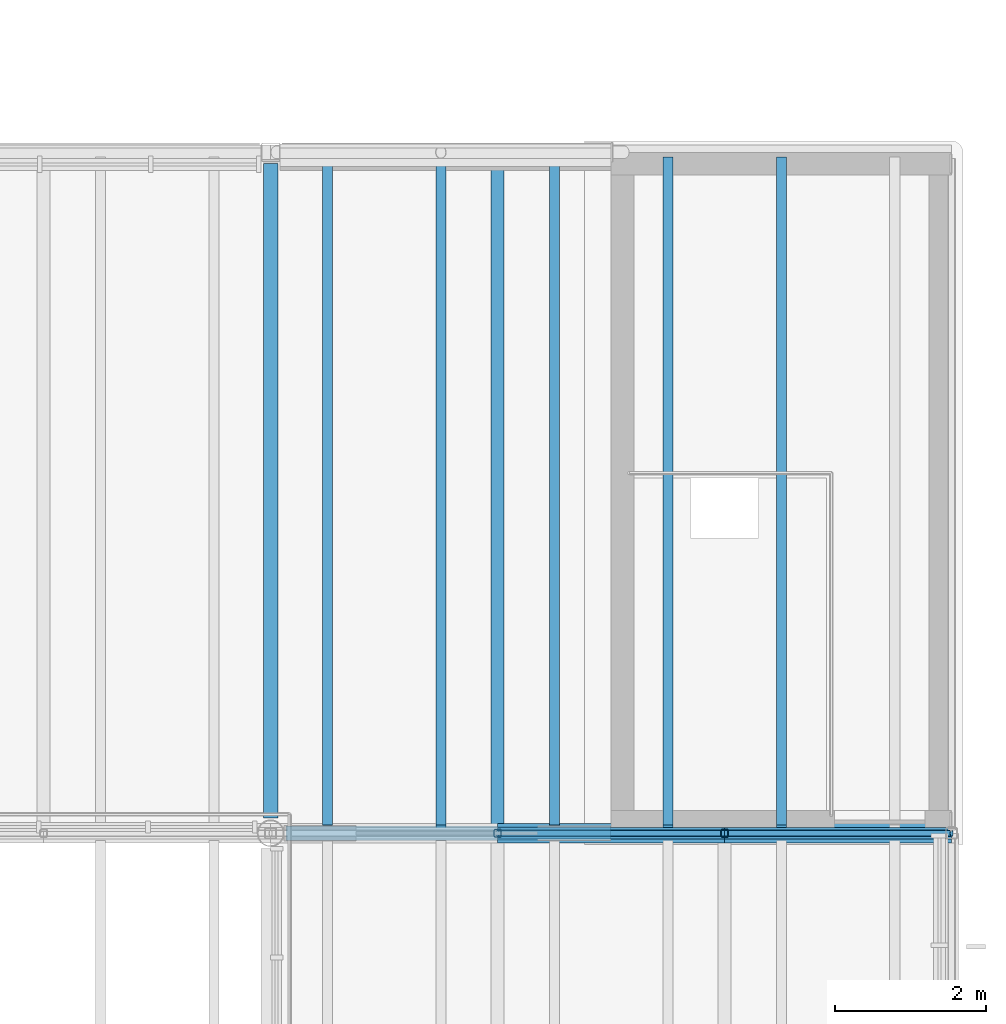
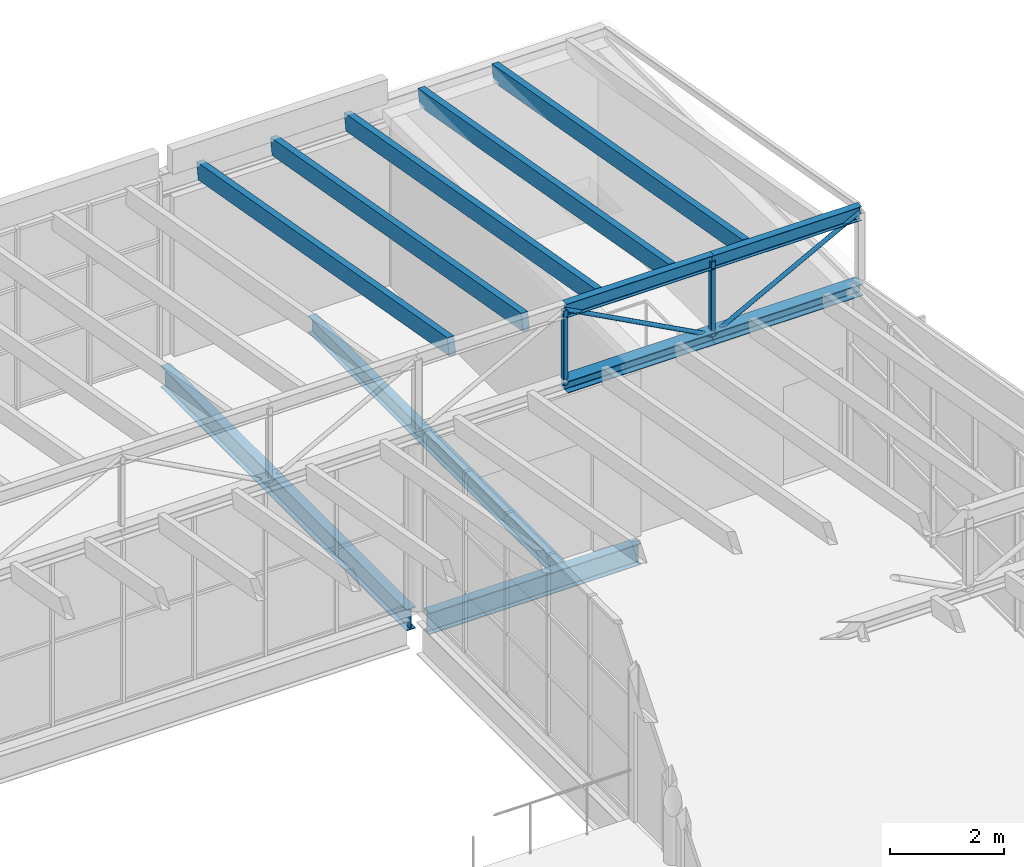
# One storey, part 25 of 44: 13 members, 3 beams.
"""IFC4 building model written with IfcOpenShell, lengths in metres."""

from ifc_helpers import new_model, si_unit, direction, frame, origin, origin_2d, place, context, subcontext, project, spatial, rectangle, hollow_rectangle, hollow_circle, i_section, extrude, material, material_profile, profile_set, type_object, element, save


model = new_model("IFC4")

# Units and contexts
model_context = context("Model", 3, precision=1e-05, world=origin(), true_north=direction((0.0, 1.0)))
body_context = subcontext(model_context, "Body", "Model", "MODEL_VIEW")
ifc_project = project(units=[si_unit("LENGTHUNIT", "METRE"), si_unit("AREAUNIT", "SQUARE_METRE"), si_unit("VOLUMEUNIT", "CUBIC_METRE"), si_unit("PLANEANGLEUNIT", "RADIAN"), si_unit("MASSUNIT", "GRAM", prefix="KILO")], contexts=[model_context])

# Site, building, storey
site_placement = place(None, origin())
site = spatial("IfcSite", under=ifc_project, at=site_placement, CompositionType="ELEMENT")
building_placement = place(site_placement, origin())
building = spatial("IfcBuilding", under=site, at=building_placement, Name="Halyard Row Museum", CompositionType="ELEMENT")
storey_placement = place(building_placement, frame((0.0, 0.0, 21.199951171875)))
storey = spatial("IfcBuildingStorey", under=building, at=storey_placement, Name="L04", CompositionType="ELEMENT", Elevation=21.199951171875)

# Beams
ifc_material_1 = material(Name="Steel Grade 300", Category="steel")
ifc_material_profile_1 = material_profile(ifc_material_1, i_section(OverallWidth=0.19091796875, OverallDepth=0.46044921875, WebThickness=0.010009765625, FlangeThickness=0.01611328125, FilletRadius=0.011474609375, at=origin_2d()), Name="460UB82.1")
ifc_profile_set_1 = profile_set([ifc_material_profile_1], Name="Steel Grade 300")
beam_type_1 = type_object("IfcBeamType", Name="Girder beam 460UB82.1", PredefinedType="BEAM", material=ifc_profile_set_1)
beam_1_placement = place(storey_placement, frame((99.203125, 27.0, -0.395263671875), z_axis=(1.0, 0.0, 0.0), x_axis=(0.0, 1.0, 0.0)))
element("IfcBeam", 1, at=beam_1_placement, inside=storey, type_object=beam_type_1, Name="Beam L04-014", PredefinedType="BEAM", context=body_context, shape_type="SweptSolid", body=[
    extrude(i_section(OverallWidth=0.19091796875, OverallDepth=0.46044921875, WebThickness=0.010009765625, FlangeThickness=0.01611328125, FilletRadius=0.011474609375, at=origin_2d()), origin(), (0.0, 0.0, 1.0), 4.296875),
])
beam_2_placement = place(storey_placement, frame((99.0, 27.203125, -0.395263671875), z_axis=(0.0, 1.0, 0.0), x_axis=(-1.0, 0.0, 0.0)))
element("IfcBeam", 2, at=beam_2_placement, inside=storey, type_object=beam_type_1, Name="Beam L04-030", PredefinedType="BEAM", context=body_context, shape_type="SweptSolid", body=[
    extrude(i_section(OverallWidth=0.19091796875, OverallDepth=0.46044921875, WebThickness=0.010009765625, FlangeThickness=0.01611328125, FilletRadius=0.011474609375, at=origin_2d()), origin(), (0.0, 0.0, 1.0), 8.64697265625),
])

# Members
ifc_material_2 = material(Name="Glulam GL12 radiata pine", Category="wood")
ifc_material_profile_2 = material_profile(ifc_material_2, rectangle(XDim=0.135009765625, YDim=0.360107421875, at=origin_2d()), Name="GL12 135x360")
ifc_profile_set_2 = profile_set([ifc_material_profile_2], Name="Glulam GL12 radiata pine")
member_type_1 = type_object("IfcMemberType", Name="Rafter GL12 135x360", PredefinedType="RAFTER", material=ifc_profile_set_2)
for number, where, z_axis, x_axis, name in (
    (3, (99.75, 27.074462890625, 5.283935546875), (0.0, 0.984561882288, -0.175036853105), (-1.0, 0.0, 0.0), "Rafter V2-T4a.19"),
    (4, (101.25, 27.074462890625, 5.283935546875), (0.0, 0.984561882288, -0.175036853105), (-1.0, 0.0, 0.0), "Rafter V2-T4a.20"),
    (5, (102.75, 27.074462890625, 5.283935546875), (0.0, 0.984561882288, -0.175036853105), (-1.0, 0.0, 0.0), "Rafter V2-T4a.21"),
    (6, (104.25, 27.074462890625, 5.283935546875), (0.0, 0.984561882288, -0.175036853105), (-1.0, 0.0, 0.0), "Rafter V2-T4a.22"),
    (7, (105.75, 27.074462890625, 5.283935546875), (0.0, 0.984561882288, -0.175036853105), (-1.0, 0.0, 0.0), "Rafter V2-T4a.23"),
):
    element("IfcMember", number, at=place(storey_placement, frame(where, z_axis=z_axis, x_axis=x_axis)), inside=storey, type_object=member_type_1, Name=name, PredefinedType="RAFTER", context=body_context, shape_type="SweptSolid", body=[
        extrude(rectangle(XDim=0.135009765625, YDim=0.360107421875, at=origin_2d()), origin(), (0.0, 0.0, 1.0), 8.968505859375),
    ])

# Beam
ifc_material_3 = material(Name="Steel Grade 300", Category="steel")
ifc_material_profile_3 = material_profile(ifc_material_3, i_section(OverallWidth=0.1708984375, OverallDepth=0.355712890625, WebThickness=0.00732421875, FlangeThickness=0.011474609375, FilletRadius=0.011474609375, at=origin_2d()), Name="360UB50.7")
ifc_profile_set_3 = profile_set([ifc_material_profile_3], Name="Steel Grade 300")
beam_type_2 = type_object("IfcBeamType", Name="Secondary beam 360UB50.7", PredefinedType="BEAM", material=ifc_profile_set_3)
beam_3_placement = place(storey_placement, frame((102.0, 27.095458984375, -0.3427734375), z_axis=(0.0, 1.0, 0.0), x_axis=(-1.0, 0.0, 0.0)))
element("IfcBeam", 8, at=beam_3_placement, inside=storey, type_object=beam_type_2, Name="Beam L04-048", PredefinedType="BEAM", context=body_context, shape_type="SweptSolid", body=[
    extrude(i_section(OverallWidth=0.1708984375, OverallDepth=0.355712890625, WebThickness=0.00732421875, FlangeThickness=0.011474609375, FilletRadius=0.011474609375, at=origin_2d()), origin(), (0.0, 0.0, 1.0), 8.779541015625),
])

# Members
ifc_material_4 = material(Name="Steel Grade 300", Category="steel")
ifc_material_profile_4 = material_profile(ifc_material_4, i_section(OverallWidth=0.25390625, OverallDepth=0.25390625, WebThickness=0.008544921875, FlangeThickness=0.01416015625, FilletRadius=0.013916015625, at=origin_2d()), Name="250UC72.9")
ifc_profile_set_4 = profile_set([ifc_material_profile_4], Name="Steel Grade 300")
member_type_2 = type_object("IfcMemberType", Name="Valley truss bottom chord 250UC72.9", PredefinedType="CHORD", material=ifc_profile_set_4)
for number, where, z_axis, x_axis, name in (
    (9, (102.0, 27.0, 3.72705078125), (1.0, 0.0, 0.0), (0.0, 1.0, 0.0), "V2-VT4 bottom chord 4.2"),
    (10, (105.0, 27.0, 3.72705078125), (1.0, 0.0, 0.0), (0.0, 1.0, 0.0), "V2-VT4 bottom chord 4.3"),
):
    element("IfcMember", number, at=place(storey_placement, frame(where, z_axis=z_axis, x_axis=x_axis)), inside=storey, type_object=member_type_2, Name=name, PredefinedType="CHORD", context=body_context, shape_type="SweptSolid", body=[
        extrude(i_section(OverallWidth=0.25390625, OverallDepth=0.25390625, WebThickness=0.008544921875, FlangeThickness=0.01416015625, FilletRadius=0.013916015625, at=origin_2d()), origin(), (0.0, 0.0, 1.0), 3.0),
    ])
ifc_material_5 = material(Name="Steel Grade C250L0", Category="steel")
ifc_material_profile_5 = material_profile(ifc_material_5, hollow_circle(Radius=0.04443359375, WallThickness=0.0048828125, at=origin_2d()), Name="88.9x5.0CHS")
ifc_profile_set_5 = profile_set([ifc_material_profile_5], Name="Steel Grade C250L0")
member_type_3 = type_object("IfcMemberType", Name="Valley truss diagonal 88.9x5.0CHS", PredefinedType="BRACE", material=ifc_profile_set_5)
for number, where, z_axis, x_axis, name in (
    (11, (102.0, 27.0, 5.3310546875), (0.881863759518, 0.0, -0.471504305016), (0.0, 1.0, 0.0), "V2-VT4 diagonal 4.2"),
    (12, (105.0, 27.0, 3.72705078125), (0.881863759518, 0.0, 0.471504305016), (0.0, 1.0, 0.0), "V2-VT4 diagonal 4.3"),
):
    element("IfcMember", number, at=place(storey_placement, frame(where, z_axis=z_axis, x_axis=x_axis)), inside=storey, type_object=member_type_3, Name=name, PredefinedType="BRACE", context=body_context, shape_type="SweptSolid", body=[
        extrude(hollow_circle(Radius=0.04443359375, WallThickness=0.0048828125, at=origin_2d()), origin(), (0.0, 0.0, 1.0), 3.40185546875),
    ])
ifc_material_6 = material(Name="Steel Grade C350L0", Category="steel")
ifc_material_profile_6 = material_profile(ifc_material_6, hollow_rectangle(XDim=0.10009765625, YDim=0.10009765625, WallThickness=0.006103515625, InnerFilletRadius=0.009033203125, OuterFilletRadius=0.014892578125, at=origin_2d()), Name="100x100x6.0SHS")
ifc_profile_set_6 = profile_set([ifc_material_profile_6], Name="Steel Grade C350L0")
member_type_4 = type_object("IfcMemberType", Name="Valley truss post 100x100x6.0SHS", PredefinedType="POST", material=ifc_profile_set_6)
for number, where, z_axis, x_axis, name in (
    (13, (102.0, 27.0, 3.72705078125), (0.0, 0.0, 1.0), (1.0, 0.0, 0.0), "V2-VT4 post 4.1"),
    (14, (105.0, 27.0, 3.72705078125), (0.0, 0.0, 1.0), (1.0, 0.0, 0.0), "V2-VT4 post 4.2"),
):
    element("IfcMember", number, at=place(storey_placement, frame(where, z_axis=z_axis, x_axis=x_axis)), inside=storey, type_object=member_type_4, Name=name, PredefinedType="POST", context=body_context, shape_type="SweptSolid", body=[
        extrude(hollow_rectangle(XDim=0.10009765625, YDim=0.10009765625, WallThickness=0.006103515625, InnerFilletRadius=0.009033203125, OuterFilletRadius=0.014892578125, at=origin_2d()), origin(), (0.0, 0.0, 1.0), 1.60400390625),
    ])
ifc_material_7 = material(Name="Steel Grade 300", Category="steel")
ifc_material_profile_7 = material_profile(ifc_material_7, i_section(OverallWidth=0.14892578125, OverallDepth=0.298095703125, WebThickness=0.005615234375, FlangeThickness=0.008056640625, FilletRadius=0.012939453125, at=origin_2d()), Name="310UB32.0")
ifc_profile_set_7 = profile_set([ifc_material_profile_7], Name="Steel Grade 300")
member_type_5 = type_object("IfcMemberType", Name="Valley truss top chord 310UB32.0", PredefinedType="CHORD", material=ifc_profile_set_7)
for number, where, z_axis, x_axis, name in (
    (15, (102.0, 27.0, 5.3310546875), (1.0, 0.0, 0.0), (0.0, 1.0, 0.0), "V2-VT4 top chord 4.2"),
    (16, (105.0, 27.0, 5.3310546875), (1.0, 0.0, 0.0), (0.0, 1.0, 0.0), "V2-VT4 top chord 4.3"),
):
    element("IfcMember", number, at=place(storey_placement, frame(where, z_axis=z_axis, x_axis=x_axis)), inside=storey, type_object=member_type_5, Name=name, PredefinedType="CHORD", context=body_context, shape_type="SweptSolid", body=[
        extrude(i_section(OverallWidth=0.14892578125, OverallDepth=0.298095703125, WebThickness=0.005615234375, FlangeThickness=0.008056640625, FilletRadius=0.012939453125, at=origin_2d()), origin(), (0.0, 0.0, 1.0), 3.0),
    ])

save(model, "model.ifc")
